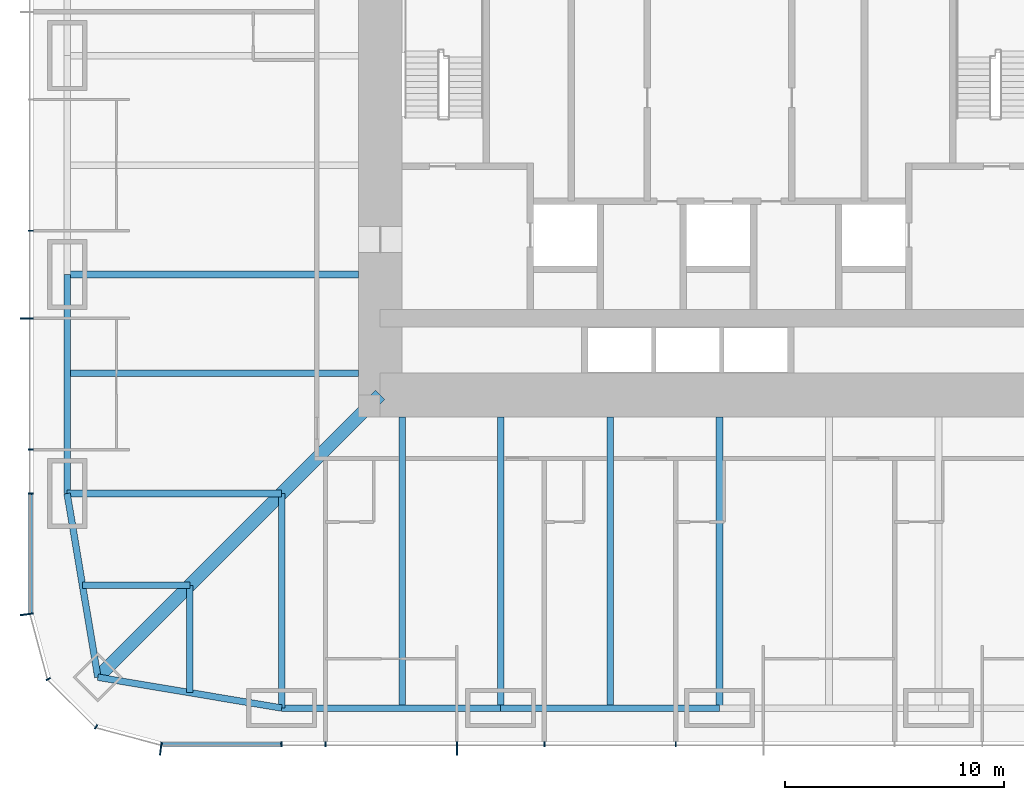
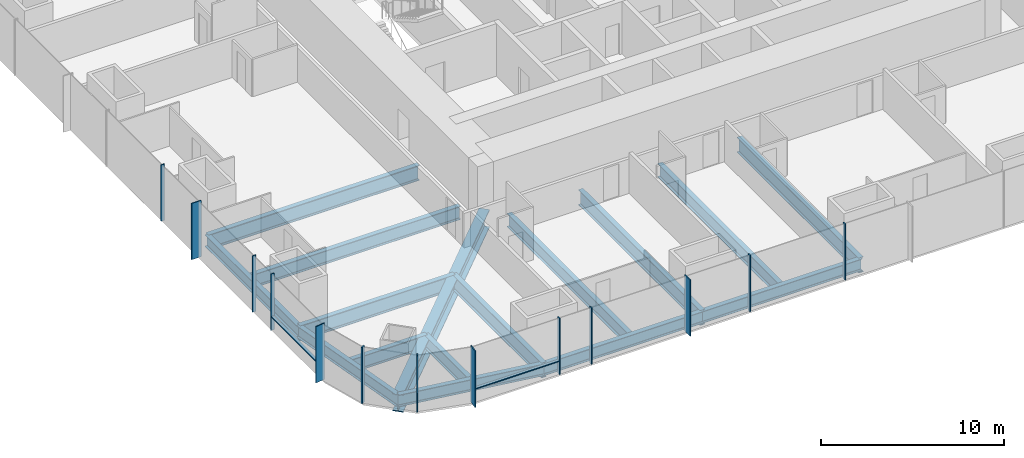
# One storey, part 2 of 16: 16 beams, 15 members, 3 elements without a shape of their own.
"""IFC4 building model written with IfcOpenShell, lengths in metres."""

from ifc_helpers import new_model, si_unit, direction, frame, origin, origin_2d, place, context, subcontext, project, spatial, rectangle, i_section, extrude, material, material_profile, profile_set, type_object, element, aggregate, save


model = new_model("IFC4")

# Units and contexts
model_context = context("Model", 3, precision=1e-05, world=origin(), true_north=direction((0.0, 1.0)))
body_context = subcontext(model_context, "Body", "Model", "MODEL_VIEW")
ifc_project = project(units=[si_unit("LENGTHUNIT", "METRE"), si_unit("AREAUNIT", "SQUARE_METRE"), si_unit("VOLUMEUNIT", "CUBIC_METRE"), si_unit("PLANEANGLEUNIT", "RADIAN"), si_unit("MASSUNIT", "GRAM", prefix="KILO")], contexts=[model_context])

# Site, building, storey
site_placement = place(None, origin())
site = spatial("IfcSite", under=ifc_project, at=site_placement, CompositionType="ELEMENT")
building_placement = place(site_placement, origin())
building = spatial("IfcBuilding", under=site, at=building_placement, Name="Khuree Lantern Residences", CompositionType="ELEMENT")
storey_placement = place(building_placement, frame((0.0, 0.0, 62.25)))
storey = spatial("IfcBuildingStorey", under=building, at=storey_placement, Name="L15", CompositionType="ELEMENT", Elevation=62.25)

# Beams
ifc_material_1 = material(Name="Steel S355", Category="steel")
ifc_material_profile_1 = material_profile(ifc_material_1, i_section(OverallWidth=0.300048828125, OverallDepth=0.889892578125, WebThickness=0.01611328125, FlangeThickness=0.030029296875, FilletRadius=0.030029296875, at=origin_2d()), Name="HE 900 A")
ifc_profile_set_1 = profile_set([ifc_material_profile_1], Name="Steel S355")
beam_type_1 = type_object("IfcBeamType", Name="B-13 SECONDARY BEAM HE 900 A", PredefinedType="BEAM", material=ifc_profile_set_1)
for number, where, z_axis, x_axis, name in (
    (1, (-5.0, -29.800048828125, -0.695068359375), (0.0, 1.0, 0.0), (-1.0, 0.0, 0.0), "Secondary beam S4"),
    (2, (-14.5, -29.800048828125, -0.695068359375), (0.0, 1.0, 0.0), (-1.0, 0.0, 0.0), "Secondary beam S5"),
):
    element("IfcBeam", number, at=place(storey_placement, frame(where, z_axis=z_axis, x_axis=x_axis)), inside=storey, type_object=beam_type_1, Name=name, PredefinedType="BEAM", context=body_context, shape_type="SweptSolid", body=[
        extrude(i_section(OverallWidth=0.300048828125, OverallDepth=0.889892578125, WebThickness=0.01611328125, FlangeThickness=0.030029296875, FilletRadius=0.030029296875, at=origin_2d()), origin(), (0.0, 0.0, 1.0), 13.300048828125),
    ])
for number, where, z_axis, x_axis, name in (
    (3, (-24.197021484375, -29.09716796875, -0.695068359375), (0.0, 1.0, 0.0), (-1.0, 0.0, 0.0), "Secondary beam S6"),
    (4, (-29.09716796875, -24.197021484375, -0.695068359375), (1.0, 0.0, 0.0), (0.0, 1.0, 0.0), "Secondary beam W1"),
):
    element("IfcBeam", number, at=place(storey_placement, frame(where, z_axis=z_axis, x_axis=x_axis)), inside=storey, type_object=beam_type_1, Name=name, PredefinedType="BEAM", context=body_context, shape_type="SweptSolid", body=[
        extrude(i_section(OverallWidth=0.300048828125, OverallDepth=0.889892578125, WebThickness=0.01611328125, FlangeThickness=0.030029296875, FilletRadius=0.030029296875, at=origin_2d()), origin(), (0.0, 0.0, 1.0), 4.900146484375),
    ])
beam_1_placement = place(storey_placement, frame((-29.800048828125, -14.5, -0.695068359375), z_axis=(1.0, 0.0, 0.0), x_axis=(0.0, 1.0, 0.0)))
element("IfcBeam", 5, at=beam_1_placement, inside=storey, type_object=beam_type_1, Name="Secondary beam W2", PredefinedType="BEAM", context=body_context, shape_type="SweptSolid", body=[
    extrude(i_section(OverallWidth=0.300048828125, OverallDepth=0.889892578125, WebThickness=0.01611328125, FlangeThickness=0.030029296875, FilletRadius=0.030029296875, at=origin_2d()), origin(), (0.0, 0.0, 1.0), 13.300048828125),
])
ifc_material_profile_2 = material_profile(ifc_material_1, i_section(OverallWidth=0.300048828125, OverallDepth=0.7900390625, WebThickness=0.014892578125, FlangeThickness=0.028076171875, FilletRadius=0.030029296875, at=origin_2d()), Name="HE 800 A")
ifc_profile_set_2 = profile_set([ifc_material_profile_2], Name="Steel S355")
beam_type_2 = type_object("IfcBeamType", Name="E-13 SPANDREL BEAM HE 800 A", PredefinedType="SPANDREL", material=ifc_profile_set_2)
for number, where, z_axis, x_axis, name in (
    (6, (0.0, -29.800048828125, -0.64501953125), (-1.0, 0.0, 0.0), (0.0, -1.0, 0.0), "Spandrel beam S4"),
    (7, (-10.0, -29.800048828125, -0.64501953125), (-1.0, 0.0, 0.0), (0.0, -1.0, 0.0), "Spandrel beam S5"),
):
    element("IfcBeam", number, at=place(storey_placement, frame(where, z_axis=z_axis, x_axis=x_axis)), inside=storey, type_object=beam_type_2, Name=name, PredefinedType="SPANDREL", context=body_context, shape_type="SweptSolid", body=[
        extrude(i_section(OverallWidth=0.300048828125, OverallDepth=0.7900390625, WebThickness=0.014892578125, FlangeThickness=0.028076171875, FilletRadius=0.030029296875, at=origin_2d()), origin(), (0.0, 0.0, 1.0), 10.0),
    ])
for number, where, z_axis, x_axis, name in (
    (8, (-20.0, -29.800048828125, -0.64501953125), (-0.986260251158, 0.165199022349, 0.0), (-0.165199022349, -0.986260251158, 0.0), "Spandrel beam S6"),
    (9, (-28.39404296875, -28.39404296875, -0.64501953125), (-0.165199022349, 0.986260251158, 0.0), (-0.986260251158, -0.165199022349, 0.0), "Spandrel beam W1"),
):
    element("IfcBeam", number, at=place(storey_placement, frame(where, z_axis=z_axis, x_axis=x_axis)), inside=storey, type_object=beam_type_2, Name=name, PredefinedType="SPANDREL", context=body_context, shape_type="SweptSolid", body=[
        extrude(i_section(OverallWidth=0.300048828125, OverallDepth=0.7900390625, WebThickness=0.014892578125, FlangeThickness=0.028076171875, FilletRadius=0.030029296875, at=origin_2d()), origin(), (0.0, 0.0, 1.0), 8.510986328125),
    ])
beam_2_placement = place(storey_placement, frame((-29.800048828125, -20.0, -0.64501953125), z_axis=(0.0, 1.0, 0.0), x_axis=(-1.0, 0.0, 0.0)))
element("IfcBeam", 10, at=beam_2_placement, inside=storey, type_object=beam_type_2, Name="Spandrel beam W2", PredefinedType="SPANDREL", context=body_context, shape_type="SweptSolid", body=[
    extrude(i_section(OverallWidth=0.300048828125, OverallDepth=0.7900390625, WebThickness=0.014892578125, FlangeThickness=0.028076171875, FilletRadius=0.030029296875, at=origin_2d()), origin(), (0.0, 0.0, 1.0), 10.0),
])

# Curtain wall, member
ifc_material_2 = material(Name="Bronze anodised aluminium", Category="aluminium")
curtain_wall_type_1 = type_object("IfcCurtainWallType", Name="CW-T1 TOWER FACE CURTAIN WALL", PredefinedType="USERDEFINED", material=ifc_material_2)
curtain_wall_1_placement = place(storey_placement, origin())
curtain_wall_1 = element("IfcCurtainWall", 11, at=curtain_wall_1_placement, inside=storey, type_object=curtain_wall_type_1, Name="L15 WEST FACE CURTAIN WALL", ObjectType="Stick-built curtain wall", PredefinedType="USERDEFINED")
ifc_material_profile_3 = material_profile(ifc_material_2, rectangle(XDim=0.06494140625, YDim=0.60009765625, at=origin_2d()), Name="F1 65X600")
ifc_profile_set_3 = profile_set([ifc_material_profile_3], Name="Bronze anodised aluminium")
member_type_1 = type_object("IfcMemberType", Name="F1 BRONZE FIN MULLION TOWER 65X600", PredefinedType="MULLION", material=ifc_profile_set_3)
member_1_placement = place(storey_placement, frame((-31.64990234375, -12.0, 0.0), z_axis=(0.0, 0.0, 1.0), x_axis=(0.0, -1.0, 0.0)))
member_1 = element("IfcMember", 12, at=member_1_placement, type_object=member_type_1, Name="L15 WEST FACE FIN MULLION 40", PredefinedType="MULLION", context=body_context, shape_type="SweptSolid", body=[
    extrude(rectangle(XDim=0.06494140625, YDim=0.60009765625, at=origin_2d()), origin(), (0.0, 0.0, 1.0), 3.75),
])

curtain_wall_type_2 = type_object("IfcCurtainWallType", Name="CW-T2 TOWER CORNER CURTAIN WALL", PredefinedType="USERDEFINED", material=ifc_material_2)
curtain_wall_2_placement = place(storey_placement, origin())
curtain_wall_2 = element("IfcCurtainWall", 13, at=curtain_wall_2_placement, inside=storey, type_object=curtain_wall_type_2, Name="L15 SOUTH-WEST CORNER CURTAIN WALL", ObjectType="Faceted corner curtain wall", PredefinedType="USERDEFINED")
member_2_placement = place(storey_placement, frame((-31.650146484375, -25.519775390625, 0.0), z_axis=(0.0, 0.0, 1.0), x_axis=(0.130526257387, -0.991444852794, 0.0)))
member_2 = element("IfcMember", 14, at=member_2_placement, type_object=member_type_1, Name="L15 SOUTH-WEST CORNER FIN MULLION 43", PredefinedType="MULLION", context=body_context, shape_type="SweptSolid", body=[
    extrude(rectangle(XDim=0.06494140625, YDim=0.60009765625, at=origin_2d()), origin(), (0.0, 0.0, 1.0), 3.75),
])

# Curtain wall, members
curtain_wall_3_placement = place(storey_placement, origin())
curtain_wall_3 = element("IfcCurtainWall", 15, at=curtain_wall_3_placement, inside=storey, type_object=curtain_wall_type_1, Name="L15 SOUTH FACE CURTAIN WALL", ObjectType="Stick-built curtain wall", PredefinedType="USERDEFINED")
member_3_placement = place(storey_placement, frame((-25.519775390625, -31.650146484375, 0.0), z_axis=(0.0, 0.0, 1.0), x_axis=(0.991444852794, -0.130526257387, 0.0)))
member_3 = element("IfcMember", 16, at=member_3_placement, type_object=member_type_1, Name="L15 SOUTH FACE FIN MULLION 46", PredefinedType="MULLION", context=body_context, shape_type="SweptSolid", body=[
    extrude(rectangle(XDim=0.06494140625, YDim=0.60009765625, at=origin_2d()), origin(), (0.0, 0.0, 1.0), 3.75),
])
member_4_placement = place(storey_placement, frame((-12.0, -31.64990234375, 0.0), z_axis=(0.0, 0.0, 1.0), x_axis=(1.0, 0.0, 0.0)))
member_4 = element("IfcMember", 17, at=member_4_placement, type_object=member_type_1, Name="L15 SOUTH FACE FIN MULLION 49", PredefinedType="MULLION", context=body_context, shape_type="SweptSolid", body=[
    extrude(rectangle(XDim=0.06494140625, YDim=0.60009765625, at=origin_2d()), origin(), (0.0, 0.0, 1.0), 3.75),
])

# Beams
ifc_material_profile_4 = material_profile(ifc_material_1, i_section(OverallWidth=0.302001953125, OverallDepth=1.008056640625, WebThickness=0.02099609375, FlangeThickness=0.0400390625, FilletRadius=0.030029296875, at=origin_2d()), Name="HE 1000 M")
ifc_profile_set_4 = profile_set([ifc_material_profile_4], Name="Steel S355")
beam_type_3 = type_object("IfcBeamType", Name="G-13 GIRDER HE 1000 M", PredefinedType="BEAM", material=ifc_profile_set_4)
for number, where, z_axis, x_axis, name in (
    (18, (0.0, -29.800048828125, -0.75390625), (0.0, 1.0, 0.0), (-1.0, 0.0, 0.0), "Girder S3"),
    (19, (-10.0, -29.800048828125, -0.75390625), (0.0, 1.0, 0.0), (-1.0, 0.0, 0.0), "Girder S4"),
):
    element("IfcBeam", number, at=place(storey_placement, frame(where, z_axis=z_axis, x_axis=x_axis)), inside=storey, type_object=beam_type_3, Name=name, PredefinedType="BEAM", context=body_context, shape_type="SweptSolid", body=[
        extrude(i_section(OverallWidth=0.302001953125, OverallDepth=1.008056640625, WebThickness=0.02099609375, FlangeThickness=0.0400390625, FilletRadius=0.030029296875, at=origin_2d()), origin(), (0.0, 0.0, 1.0), 13.300048828125),
    ])
for number, where, z_axis, x_axis, name in (
    (20, (-20.0, -29.800048828125, -0.75390625), (0.0, 1.0, 0.0), (-1.0, 0.0, 0.0), "Girder S5"),
    (21, (-29.800048828125, -20.0, -0.75390625), (1.0, 0.0, 0.0), (0.0, 1.0, 0.0), "Girder W1"),
):
    element("IfcBeam", number, at=place(storey_placement, frame(where, z_axis=z_axis, x_axis=x_axis)), inside=storey, type_object=beam_type_3, Name=name, PredefinedType="BEAM", context=body_context, shape_type="SweptSolid", body=[
        extrude(i_section(OverallWidth=0.302001953125, OverallDepth=1.008056640625, WebThickness=0.02099609375, FlangeThickness=0.0400390625, FilletRadius=0.030029296875, at=origin_2d()), origin(), (0.0, 0.0, 1.0), 9.800048828125),
    ])
beam_3_placement = place(storey_placement, frame((-29.800048828125, -10.0, -0.75390625), z_axis=(1.0, 0.0, 0.0), x_axis=(0.0, 1.0, 0.0)))
element("IfcBeam", 22, at=beam_3_placement, inside=storey, type_object=beam_type_3, Name="Girder W2", PredefinedType="BEAM", context=body_context, shape_type="SweptSolid", body=[
    extrude(i_section(OverallWidth=0.302001953125, OverallDepth=1.008056640625, WebThickness=0.02099609375, FlangeThickness=0.0400390625, FilletRadius=0.030029296875, at=origin_2d()), origin(), (0.0, 0.0, 1.0), 13.300048828125),
])
ifc_material_profile_5 = material_profile(ifc_material_1, i_section(OverallWidth=0.60009765625, OverallDepth=1.199951171875, WebThickness=0.030029296875, FlangeThickness=0.06005859375, at=origin_2d()), Name="WELDED I 1200X600X30X60")
ifc_profile_set_5 = profile_set([ifc_material_profile_5], Name="Steel S355")
beam_type_4 = type_object("IfcBeamType", Name="GD-13 CORNER GIRDER WELDED I 1200X600X30X60", PredefinedType="BEAM", material=ifc_profile_set_5)
beam_4_placement = place(storey_placement, frame((-28.39404296875, -28.39404296875, -0.85009765625), z_axis=(0.707106781187, 0.707106781187, 0.0), x_axis=(-0.707106781187, 0.707106781187, 0.0)))
element("IfcBeam", 23, at=beam_4_placement, inside=storey, type_object=beam_type_4, Name="Corner girder SW", PredefinedType="BEAM", context=body_context, shape_type="SweptSolid", body=[
    extrude(i_section(OverallWidth=0.60009765625, OverallDepth=1.199951171875, WebThickness=0.030029296875, FlangeThickness=0.06005859375, at=origin_2d()), origin(), (0.0, 0.0, 1.0), 18.23486328125),
])

# Member
ifc_material_profile_6 = material_profile(ifc_material_2, rectangle(XDim=0.06494140625, YDim=0.219970703125, at=origin_2d()), Name="M1 65X220")
ifc_profile_set_6 = profile_set([ifc_material_profile_6], Name="Bronze anodised aluminium")
member_type_2 = type_object("IfcMemberType", Name="M1 BRONZE MULLION TOWER 65X220", PredefinedType="MULLION", material=ifc_profile_set_6)
member_5_placement = place(storey_placement, frame((-31.4599609375, -8.0, 0.0), z_axis=(0.0, 0.0, 1.0), x_axis=(0.0, -1.0, 0.0)))
member_5 = element("IfcMember", 24, at=member_5_placement, type_object=member_type_2, Name="L15 WEST FACE MULLION 39", PredefinedType="MULLION", context=body_context, shape_type="SweptSolid", body=[
    extrude(rectangle(XDim=0.06494140625, YDim=0.219970703125, at=origin_2d()), origin(), (0.0, 0.0, 1.0), 3.75),
])

member_6_placement = place(storey_placement, frame((-31.4599609375, -18.0, 0.0), z_axis=(0.0, 0.0, 1.0), x_axis=(0.0, -1.0, 0.0)))
member_6 = element("IfcMember", 25, at=member_6_placement, type_object=member_type_2, Name="L15 WEST FACE MULLION 41", PredefinedType="MULLION", context=body_context, shape_type="SweptSolid", body=[
    extrude(rectangle(XDim=0.06494140625, YDim=0.219970703125, at=origin_2d()), origin(), (0.0, 0.0, 1.0), 3.75),
])

member_7_placement = place(storey_placement, frame((-31.4599609375, -20.0, 0.0), z_axis=(0.0, 0.0, 1.0), x_axis=(0.0, -1.0, 0.0)))
member_7 = element("IfcMember", 26, at=member_7_placement, type_object=member_type_2, Name="L15 WEST FACE MULLION 42", PredefinedType="MULLION", context=body_context, shape_type="SweptSolid", body=[
    extrude(rectangle(XDim=0.06494140625, YDim=0.219970703125, at=origin_2d()), origin(), (0.0, 0.0, 1.0), 3.75),
])

member_8_placement = place(storey_placement, frame((-30.66162109375, -28.47998046875, 0.0), z_axis=(0.0, 0.0, 1.0), x_axis=(0.500000056923, -0.86602537092, 0.0)))
member_8 = element("IfcMember", 27, at=member_8_placement, type_object=member_type_2, Name="L15 SOUTH-WEST CORNER MULLION 44", PredefinedType="MULLION", context=body_context, shape_type="SweptSolid", body=[
    extrude(rectangle(XDim=0.06494140625, YDim=0.219970703125, at=origin_2d()), origin(), (0.0, 0.0, 1.0), 3.75),
])

member_9_placement = place(storey_placement, frame((-28.47998046875, -30.66162109375, 0.0), z_axis=(0.0, 0.0, 1.0), x_axis=(0.86602537092, -0.500000056923, 0.0)))
member_9 = element("IfcMember", 28, at=member_9_placement, type_object=member_type_2, Name="L15 SOUTH-WEST CORNER MULLION 45", PredefinedType="MULLION", context=body_context, shape_type="SweptSolid", body=[
    extrude(rectangle(XDim=0.06494140625, YDim=0.219970703125, at=origin_2d()), origin(), (0.0, 0.0, 1.0), 3.75),
])

aggregate(curtain_wall_2, [member_2, member_8, member_9])

member_10_placement = place(storey_placement, frame((-20.0, -31.4599609375, 0.0), z_axis=(0.0, 0.0, 1.0), x_axis=(1.0, 0.0, 0.0)))
member_10 = element("IfcMember", 29, at=member_10_placement, type_object=member_type_2, Name="L15 SOUTH FACE MULLION 47", PredefinedType="MULLION", context=body_context, shape_type="SweptSolid", body=[
    extrude(rectangle(XDim=0.06494140625, YDim=0.219970703125, at=origin_2d()), origin(), (0.0, 0.0, 1.0), 3.75),
])

member_11_placement = place(storey_placement, frame((-18.0, -31.4599609375, 0.0), z_axis=(0.0, 0.0, 1.0), x_axis=(1.0, 0.0, 0.0)))
member_11 = element("IfcMember", 30, at=member_11_placement, type_object=member_type_2, Name="L15 SOUTH FACE MULLION 48", PredefinedType="MULLION", context=body_context, shape_type="SweptSolid", body=[
    extrude(rectangle(XDim=0.06494140625, YDim=0.219970703125, at=origin_2d()), origin(), (0.0, 0.0, 1.0), 3.75),
])

member_12_placement = place(storey_placement, frame((-8.0, -31.4599609375, 0.0), z_axis=(0.0, 0.0, 1.0), x_axis=(1.0, 0.0, 0.0)))
member_12 = element("IfcMember", 31, at=member_12_placement, type_object=member_type_2, Name="L15 SOUTH FACE MULLION 50", PredefinedType="MULLION", context=body_context, shape_type="SweptSolid", body=[
    extrude(rectangle(XDim=0.06494140625, YDim=0.219970703125, at=origin_2d()), origin(), (0.0, 0.0, 1.0), 3.75),
])

member_13_placement = place(storey_placement, frame((-2.0, -31.4599609375, 0.0), z_axis=(0.0, 0.0, 1.0), x_axis=(1.0, 0.0, 0.0)))
member_13 = element("IfcMember", 32, at=member_13_placement, type_object=member_type_2, Name="L15 SOUTH FACE MULLION 51", PredefinedType="MULLION", context=body_context, shape_type="SweptSolid", body=[
    extrude(rectangle(XDim=0.06494140625, YDim=0.219970703125, at=origin_2d()), origin(), (0.0, 0.0, 1.0), 3.75),
])

ifc_material_profile_7 = material_profile(ifc_material_2, rectangle(XDim=0.179931640625, YDim=0.06494140625, at=origin_2d()), Name="T1 180X65")
ifc_profile_set_7 = profile_set([ifc_material_profile_7], Name="Bronze anodised aluminium")
member_type_3 = type_object("IfcMemberType", Name="TRANSOM T1 TOWER 180X65", PredefinedType="USERDEFINED", material=ifc_profile_set_7)
member_14_placement = place(storey_placement, frame((-31.469970703125, -20.032470703125, 0.89990234375), z_axis=(0.0, -1.0, 0.0), x_axis=(1.0, 0.0, 0.0)))
member_14 = element("IfcMember", 33, at=member_14_placement, type_object=member_type_3, Name="L15 WEST FACE TRANSOM 42.1", ObjectType="Transom", PredefinedType="USERDEFINED", context=body_context, shape_type="SweptSolid", body=[
    extrude(rectangle(XDim=0.179931640625, YDim=0.06494140625, at=origin_2d()), origin(), (0.0, 0.0, 1.0), 5.4189453125),
])

aggregate(curtain_wall_1, [member_5, member_1, member_6, member_7, member_14])

member_15_placement = place(storey_placement, frame((-25.451416015625, -31.469970703125, 0.89990234375), z_axis=(1.0, 0.0, 0.0), x_axis=(0.0, 1.0, 0.0)))
member_15 = element("IfcMember", 34, at=member_15_placement, type_object=member_type_3, Name="L15 SOUTH FACE TRANSOM 46.1", ObjectType="Transom", PredefinedType="USERDEFINED", context=body_context, shape_type="SweptSolid", body=[
    extrude(rectangle(XDim=0.179931640625, YDim=0.06494140625, at=origin_2d()), origin(), (0.0, 0.0, 1.0), 5.4189453125),
])

aggregate(curtain_wall_3, [member_3, member_10, member_11, member_4, member_12, member_13, member_15])

save(model, "model.ifc")
